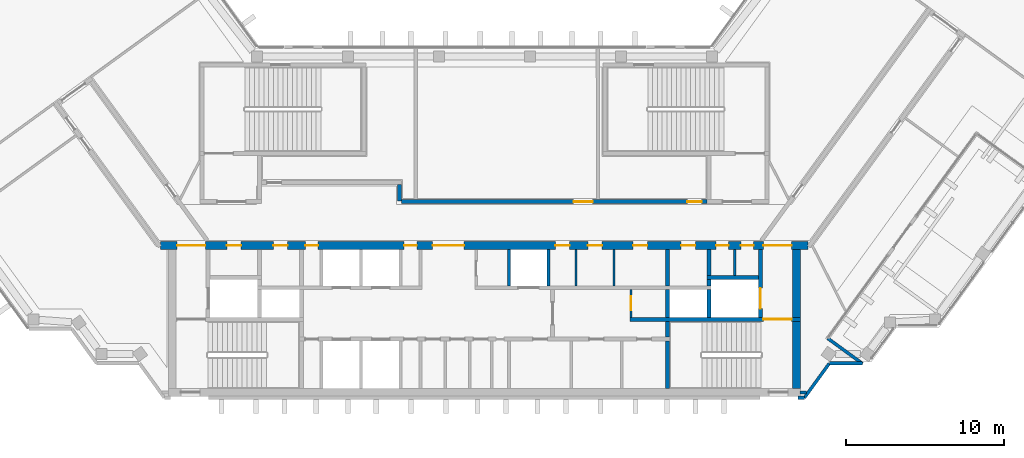
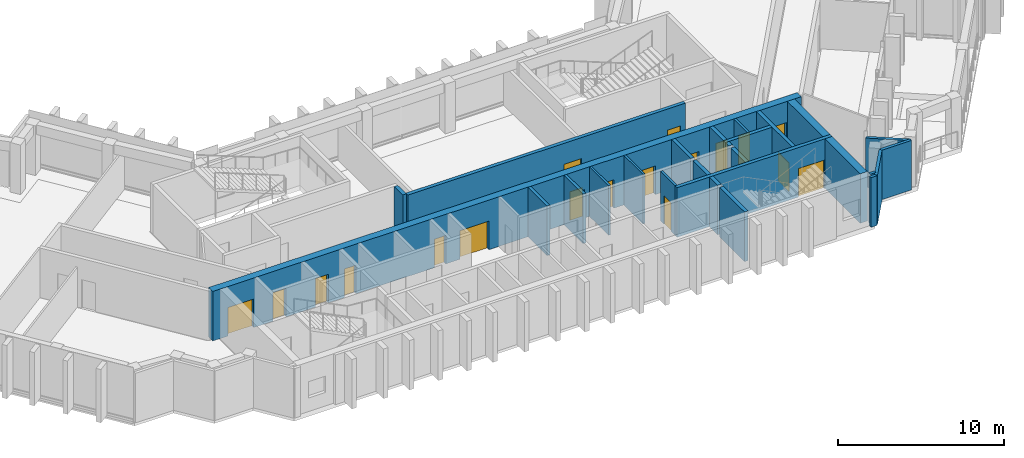
# One storey, part 7 of 11: 26 walls, 18 doors, 18 openings.
"""IFC4 building model written with IfcOpenShell, lengths in metres."""

from ifc_helpers import new_model, si_unit, direction, frame, frame_2d, origin, place, context, subcontext, project, spatial, rectangle, extrude, material, layer, layer_set, type_object, element, fill, save


model = new_model("IFC4")

# Units and contexts
model_context = context("Model", 3, precision=1e-05, world=origin(), true_north=direction((0.0, 1.0)))
body_context = subcontext(model_context, "Body", "Model", "MODEL_VIEW")
ifc_project = project(units=[si_unit("LENGTHUNIT", "METRE"), si_unit("AREAUNIT", "SQUARE_METRE"), si_unit("VOLUMEUNIT", "CUBIC_METRE"), si_unit("PLANEANGLEUNIT", "RADIAN"), si_unit("MASSUNIT", "GRAM", prefix="KILO")], contexts=[model_context])

# Site, building, storey
site_placement = place(None, origin())
site = spatial("IfcSite", under=ifc_project, at=site_placement, CompositionType="ELEMENT")
building_placement = place(site_placement, origin())
building = spatial("IfcBuilding", under=site, at=building_placement, Name="Quipu Civic Tower", CompositionType="ELEMENT")
storey_placement = place(building_placement, frame((0.0, 0.0, 319.0)))
storey = spatial("IfcBuildingStorey", under=building, at=storey_placement, Name="L74", CompositionType="ELEMENT", Elevation=319.0)

# Walls
ifc_material_1 = material(Name="Concrete C70/85", Category="concrete")
ifc_layer_1 = layer(ifc_material_1, 0.25)
ifc_layer_set_1 = layer_set([ifc_layer_1], Name="Concrete C70/85")
wall_type_1 = type_object("IfcWallType", Name="Core wall 250", PredefinedType="SHEAR", material=ifc_layer_set_1)
wall_1_placement = place(storey_placement, frame((11.574951171875, -10.5, 0.0), z_axis=(0.0, 0.0, 1.0), x_axis=(0.0, 1.0, 0.0)))
element("IfcWall", 1, at=wall_1_placement, inside=storey, type_object=wall_type_1, Name="Core wall", PredefinedType="SHEAR", context=body_context, shape_type="SweptSolid", body=[
    extrude(rectangle(XDim=3.0, YDim=0.25, at=frame_2d((1.5, 0.0))), origin(), (0.0, 0.0, 1.0), 3.64990234375),
])
wall_2_placement = place(storey_placement, frame((11.574951171875, -7.25, 0.0), z_axis=(0.0, 0.0, 1.0), x_axis=(0.0, 1.0, 0.0)))
element("IfcWall", 2, at=wall_2_placement, inside=storey, type_object=wall_type_1, Name="Core wall", PredefinedType="SHEAR", context=body_context, shape_type="SweptSolid", body=[
    extrude(rectangle(XDim=1.0, YDim=0.25, at=frame_2d((0.5, 0.0))), origin(), (0.0, 0.0, 1.0), 3.64990234375),
])

# Wall, opening, door
wall_3_placement = place(storey_placement, frame((20.0, -6.125, 0.0), z_axis=(0.0, 0.0, 1.0), x_axis=(-1.0, 0.0, 0.0)))
wall_3 = element("IfcWall", 3, at=wall_3_placement, inside=storey, type_object=wall_type_1, Name="Core wall", PredefinedType="SHEAR", context=body_context, shape_type="SweptSolid", body=[
    extrude(rectangle(XDim=10.800048828125, YDim=0.25, at=frame_2d((5.39990234375, 0.0))), origin(), (0.0, 0.0, 1.0), 3.64990234375),
])
opening_1_placement = place(wall_3_placement, frame((0.550048828125, 0.0, 0.0)))
opening_1 = element("IfcOpeningElement", 4, at=opening_1_placement, cuts=wall_3, Name="Opening CD-11", PredefinedType="OPENING", context=body_context, shape_type="SweptSolid", body=[
    extrude(rectangle(XDim=1.800048828125, YDim=2.10009765625, at=frame_2d((0.89990234375, 1.050048828125))), frame((0.0, 0.135009765625, 0.0), z_axis=(0.0, -1.0, 0.0), x_axis=(1.0, 0.0, 0.0)), (0.0, 0.0, 1.0), 0.27001953125),
])
ifc_material_2 = material(Name="Fire rated steel door", Category="steel")
door_type_1 = type_object("IfcDoorType", Name="Fire door FD90 double 1800 x 2100", OperationType="NOTDEFINED", PredefinedType="DOOR", material=ifc_material_2)
door_1_placement = place(opening_1_placement, origin())
door_1 = element("IfcDoor", 5, at=door_1_placement, inside=storey, type_object=door_type_1, Name="Door", OperationType="DOUBLE_DOOR_SINGLE_SWING", OverallHeight=2.10009765625, OverallWidth=1.800048828125, PredefinedType="DOOR", context=body_context, shape_type="SweptSolid", body=[
    extrude(rectangle(XDim=1.800048828125, YDim=2.10009765625, at=frame_2d((0.89990234375, 1.050048828125))), frame((0.0, 0.02490234375, 0.0), z_axis=(0.0, -1.0, 0.0), x_axis=(1.0, 0.0, 0.0)), (0.0, 0.0, 1.0), 0.050048828125),
])
fill(opening_1, door_1)

# Walls
for number, where, z_axis, x_axis, name in (
    (6, (11.574951171875, -6.0, 0.0), (0.0, 0.0, 1.0), (0.0, 1.0, 0.0), "Core wall"),
    (7, (14.22509765625, -6.0, 0.0), (0.0, 0.0, 1.0), (0.0, 1.0, 0.0), "Core wall"),
):
    element("IfcWall", number, at=place(storey_placement, frame(where, z_axis=z_axis, x_axis=x_axis)), inside=storey, type_object=wall_type_1, Name=name, PredefinedType="SHEAR", context=body_context, shape_type="SweptSolid", body=[
        extrude(rectangle(XDim=1.75, YDim=0.25, at=frame_2d((0.875, 0.0))), origin(), (0.0, 0.0, 1.0), 3.64990234375),
    ])

# Wall, opening, door
wall_4_placement = place(storey_placement, frame((17.47509765625, -6.0, 0.0), z_axis=(0.0, 0.0, 1.0), x_axis=(0.0, 1.0, 0.0)))
wall_4 = element("IfcWall", 8, at=wall_4_placement, inside=storey, type_object=wall_type_1, Name="Core wall", PredefinedType="SHEAR", context=body_context, shape_type="SweptSolid", body=[
    extrude(rectangle(XDim=4.300048828125, YDim=0.25, at=frame_2d((2.14990234375, 0.0))), origin(), (0.0, 0.0, 1.0), 3.64990234375),
])
opening_2_placement = place(wall_4_placement, frame((0.550048828125, 0.0, 0.0)))
opening_2 = element("IfcOpeningElement", 9, at=opening_2_placement, cuts=wall_4, Name="Opening LD-FF2", PredefinedType="OPENING", context=body_context, shape_type="SweptSolid", body=[
    extrude(rectangle(XDim=1.300048828125, YDim=2.10009765625, at=frame_2d((0.64990234375, 1.050048828125))), frame((0.0, 0.135009765625, 0.0), z_axis=(0.0, -1.0, 0.0), x_axis=(1.0, 0.0, 0.0)), (0.0, 0.0, 1.0), 0.27001953125),
])
ifc_material_3 = material(Name="Stainless steel", Category="steel")
door_type_2 = type_object("IfcDoorType", Name="Lift landing door 1300 x 2100", OperationType="DOUBLE_DOOR_SLIDING", PredefinedType="DOOR", material=ifc_material_3)
door_2_placement = place(opening_2_placement, origin())
door_2 = element("IfcDoor", 10, at=door_2_placement, inside=storey, type_object=door_type_2, Name="Landing door FF2", OperationType="DOUBLE_DOOR_SLIDING", OverallHeight=2.10009765625, OverallWidth=1.300048828125, PredefinedType="DOOR", context=body_context, shape_type="SweptSolid", body=[
    extrude(rectangle(XDim=1.300048828125, YDim=2.10009765625, at=frame_2d((0.64990234375, 1.050048828125))), frame((0.0, 0.02490234375, 0.0), z_axis=(0.0, -1.0, 0.0), x_axis=(1.0, 0.0, 0.0)), (0.0, 0.0, 1.0), 0.050048828125),
])
fill(opening_2, door_2)

# Walls
wall_5_placement = place(storey_placement, frame((11.574951171875, -4.0, 0.0), z_axis=(0.0, 0.0, 1.0), x_axis=(0.0, 1.0, 0.0)))
element("IfcWall", 11, at=wall_5_placement, inside=storey, type_object=wall_type_1, Name="Core wall", PredefinedType="SHEAR", context=body_context, shape_type="SweptSolid", body=[
    extrude(rectangle(XDim=2.300048828125, YDim=0.25, at=frame_2d((1.14990234375, 0.0))), origin(), (0.0, 0.0, 1.0), 3.64990234375),
])
wall_6_placement = place(storey_placement, frame((14.22509765625, -4.0, 0.0), z_axis=(0.0, 0.0, 1.0), x_axis=(0.0, 1.0, 0.0)))
element("IfcWall", 12, at=wall_6_placement, inside=storey, type_object=wall_type_1, Name="Core wall", PredefinedType="SHEAR", context=body_context, shape_type="SweptSolid", body=[
    extrude(rectangle(XDim=0.39990234375, YDim=0.25, at=frame_2d((0.199951171875, 0.0))), origin(), (0.0, 0.0, 1.0), 3.64990234375),
])
wall_7_placement = place(storey_placement, frame((14.10009765625, -3.47509765625, 0.0), z_axis=(0.0, 0.0, 1.0), x_axis=(1.0, 0.0, 0.0)))
element("IfcWall", 13, at=wall_7_placement, inside=storey, type_object=wall_type_1, Name="Core wall", PredefinedType="SHEAR", context=body_context, shape_type="SweptSolid", body=[
    extrude(rectangle(XDim=3.25, YDim=0.25, at=frame_2d((1.625, 0.0))), origin(), (0.0, 0.0, 1.0), 3.64990234375),
])
wall_8_placement = place(storey_placement, frame((14.22509765625, -3.35009765625, 0.0), z_axis=(0.0, 0.0, 1.0), x_axis=(0.0, 1.0, 0.0)))
element("IfcWall", 14, at=wall_8_placement, inside=storey, type_object=wall_type_1, Name="Core wall", PredefinedType="SHEAR", context=body_context, shape_type="SweptSolid", body=[
    extrude(rectangle(XDim=1.650146484375, YDim=0.25, at=frame_2d((0.8251953125, 0.0))), origin(), (0.0, 0.0, 1.0), 3.64990234375),
])
ifc_material_4 = material(Name="Concrete C70/85", Category="concrete")
ifc_layer_2 = layer(ifc_material_4, 0.5)
ifc_layer_set_2 = layer_set([ifc_layer_2], Name="Concrete C70/85")
wall_type_2 = type_object("IfcWallType", Name="Core wall 500", PredefinedType="SHEAR", material=ifc_layer_set_2)
wall_9_placement = place(storey_placement, frame((19.75, -10.5, 0.0), z_axis=(0.0, 0.0, 1.0), x_axis=(0.0, 1.0, 0.0)))
element("IfcWall", 15, at=wall_9_placement, inside=storey, type_object=wall_type_2, Name="Core wall", PredefinedType="SHEAR", context=body_context, shape_type="SweptSolid", body=[
    extrude(rectangle(XDim=4.25, YDim=0.5, at=frame_2d((2.125, 0.0))), origin(), (0.0, 0.0, 1.0), 3.64990234375),
])
wall_10_placement = place(storey_placement, frame((19.75, -6.0, 0.0), z_axis=(0.0, 0.0, 1.0), x_axis=(0.0, 1.0, 0.0)))
element("IfcWall", 16, at=wall_10_placement, inside=storey, type_object=wall_type_2, Name="Core wall", PredefinedType="SHEAR", context=body_context, shape_type="SweptSolid", body=[
    extrude(rectangle(XDim=4.300048828125, YDim=0.5, at=frame_2d((2.14990234375, 0.0))), origin(), (0.0, 0.0, 1.0), 3.64990234375),
])

# Wall, openings, doors
wall_11_placement = place(storey_placement, frame((20.489990234375, -1.449951171875, 0.0), z_axis=(0.0, 0.0, 1.0), x_axis=(-1.0, 0.0, 0.0)))
wall_11 = element("IfcWall", 17, at=wall_11_placement, inside=storey, type_object=wall_type_2, Name="Core wall", PredefinedType="SHEAR", context=body_context, shape_type="SweptSolid", body=[
    extrude(rectangle(XDim=40.97998046875, YDim=0.5, at=frame_2d((20.489990234375, 0.0))), origin(), (0.0, 0.0, 1.0), 3.64990234375),
])
opening_3_placement = place(wall_11_placement, frame((38.139892578125, 0.0, 0.0)))
opening_3 = element("IfcOpeningElement", 18, at=opening_3_placement, cuts=wall_11, Name="Opening CD-15", PredefinedType="OPENING", context=body_context, shape_type="SweptSolid", body=[
    extrude(rectangle(XDim=1.800048828125, YDim=2.10009765625, at=frame_2d((0.89990234375, 1.050048828125))), frame((0.0, 0.260009765625, 0.0), z_axis=(0.0, -1.0, 0.0), x_axis=(1.0, 0.0, 0.0)), (0.0, 0.0, 1.0), 0.52001953125),
])
opening_4_placement = place(wall_11_placement, frame((35.889892578125, 0.0, 0.0)))
opening_4 = element("IfcOpeningElement", 19, at=opening_4_placement, cuts=wall_11, Name="Opening CD-16", PredefinedType="OPENING", context=body_context, shape_type="SweptSolid", body=[
    extrude(rectangle(XDim=0.89990234375, YDim=2.10009765625, at=frame_2d((0.449951171875, 1.050048828125))), frame((0.0, 0.260009765625, 0.0), z_axis=(0.0, -1.0, 0.0), x_axis=(1.0, 0.0, 0.0)), (0.0, 0.0, 1.0), 0.52001953125),
])
opening_5_placement = place(wall_11_placement, frame((32.93994140625, 0.0, 0.0)))
opening_5 = element("IfcOpeningElement", 20, at=opening_5_placement, cuts=wall_11, Name="Opening CD-17", PredefinedType="OPENING", context=body_context, shape_type="SweptSolid", body=[
    extrude(rectangle(XDim=0.89990234375, YDim=2.10009765625, at=frame_2d((0.449951171875, 1.050048828125))), frame((0.0, 0.260009765625, 0.0), z_axis=(0.0, -1.0, 0.0), x_axis=(1.0, 0.0, 0.0)), (0.0, 0.0, 1.0), 0.52001953125),
])
opening_6_placement = place(wall_11_placement, frame((31.014892578125, 0.0, 0.0)))
opening_6 = element("IfcOpeningElement", 21, at=opening_6_placement, cuts=wall_11, Name="Opening CD-18", PredefinedType="OPENING", context=body_context, shape_type="SweptSolid", body=[
    extrude(rectangle(XDim=0.800048828125, YDim=2.10009765625, at=frame_2d((0.39990234375, 1.050048828125))), frame((0.0, 0.260009765625, 0.0), z_axis=(0.0, -1.0, 0.0), x_axis=(1.0, 0.0, 0.0)), (0.0, 0.0, 1.0), 0.52001953125),
])
opening_7_placement = place(wall_11_placement, frame((24.764892578125, 0.0, 0.0)))
opening_7 = element("IfcOpeningElement", 22, at=opening_7_placement, cuts=wall_11, Name="Opening CD-19", PredefinedType="OPENING", context=body_context, shape_type="SweptSolid", body=[
    extrude(rectangle(XDim=0.800048828125, YDim=2.10009765625, at=frame_2d((0.39990234375, 1.050048828125))), frame((0.0, 0.260009765625, 0.0), z_axis=(0.0, -1.0, 0.0), x_axis=(1.0, 0.0, 0.0)), (0.0, 0.0, 1.0), 0.52001953125),
])
opening_8_placement = place(wall_11_placement, frame((21.764892578125, 0.0, 0.0)))
opening_8 = element("IfcOpeningElement", 23, at=opening_8_placement, cuts=wall_11, Name="Opening CD-20", PredefinedType="OPENING", context=body_context, shape_type="SweptSolid", body=[
    extrude(rectangle(XDim=2.0, YDim=2.10009765625, at=frame_2d((1.0, 1.050048828125))), frame((0.0, 0.260009765625, 0.0), z_axis=(0.0, -1.0, 0.0), x_axis=(1.0, 0.0, 0.0)), (0.0, 0.0, 1.0), 0.52001953125),
])
opening_9_placement = place(wall_11_placement, frame((15.1025390625, 0.0, 0.0)))
opening_9 = element("IfcOpeningElement", 24, at=opening_9_placement, cuts=wall_11, Name="Opening CD-21", PredefinedType="OPENING", context=body_context, shape_type="SweptSolid", body=[
    extrude(rectangle(XDim=0.89990234375, YDim=2.10009765625, at=frame_2d((0.449951171875, 1.050048828125))), frame((0.0, 0.260009765625, 0.0), z_axis=(0.0, -1.0, 0.0), x_axis=(1.0, 0.0, 0.0)), (0.0, 0.0, 1.0), 0.52001953125),
])
opening_10_placement = place(wall_11_placement, frame((13.0400390625, 0.0, 0.0)))
opening_10 = element("IfcOpeningElement", 25, at=opening_10_placement, cuts=wall_11, Name="Opening CD-22", PredefinedType="OPENING", context=body_context, shape_type="SweptSolid", body=[
    extrude(rectangle(XDim=0.89990234375, YDim=2.10009765625, at=frame_2d((0.449951171875, 1.050048828125))), frame((0.0, 0.260009765625, 0.0), z_axis=(0.0, -1.0, 0.0), x_axis=(1.0, 0.0, 0.0)), (0.0, 0.0, 1.0), 0.52001953125),
])
opening_11_placement = place(wall_11_placement, frame((10.177490234375, 0.0, 0.0)))
opening_11 = element("IfcOpeningElement", 26, at=opening_11_placement, cuts=wall_11, Name="Opening CD-23", PredefinedType="OPENING", context=body_context, shape_type="SweptSolid", body=[
    extrude(rectangle(XDim=0.89990234375, YDim=2.10009765625, at=frame_2d((0.449951171875, 1.050048828125))), frame((0.0, 0.260009765625, 0.0), z_axis=(0.0, -1.0, 0.0), x_axis=(1.0, 0.0, 0.0)), (0.0, 0.0, 1.0), 0.52001953125),
])
opening_12_placement = place(wall_11_placement, frame((7.139892578125, 0.0, 0.0)))
opening_12 = element("IfcOpeningElement", 27, at=opening_12_placement, cuts=wall_11, Name="Opening CD-24", PredefinedType="OPENING", context=body_context, shape_type="SweptSolid", body=[
    extrude(rectangle(XDim=0.89990234375, YDim=2.10009765625, at=frame_2d((0.449951171875, 1.050048828125))), frame((0.0, 0.260009765625, 0.0), z_axis=(0.0, -1.0, 0.0), x_axis=(1.0, 0.0, 0.0)), (0.0, 0.0, 1.0), 0.52001953125),
])
opening_13_placement = place(wall_11_placement, frame((5.027587890625, 0.0, 0.0)))
opening_13 = element("IfcOpeningElement", 28, at=opening_13_placement, cuts=wall_11, Name="Opening CD-25", PredefinedType="OPENING", context=body_context, shape_type="SweptSolid", body=[
    extrude(rectangle(XDim=0.800048828125, YDim=2.10009765625, at=frame_2d((0.39990234375, 1.050048828125))), frame((0.0, 0.260009765625, 0.0), z_axis=(0.0, -1.0, 0.0), x_axis=(1.0, 0.0, 0.0)), (0.0, 0.0, 1.0), 0.52001953125),
])
opening_14_placement = place(wall_11_placement, frame((3.452392578125, 0.0, 0.0)))
opening_14 = element("IfcOpeningElement", 29, at=opening_14_placement, cuts=wall_11, Name="Opening CD-26", PredefinedType="OPENING", context=body_context, shape_type="SweptSolid", body=[
    extrude(rectangle(XDim=0.800048828125, YDim=2.10009765625, at=frame_2d((0.39990234375, 1.050048828125))), frame((0.0, 0.260009765625, 0.0), z_axis=(0.0, -1.0, 0.0), x_axis=(1.0, 0.0, 0.0)), (0.0, 0.0, 1.0), 0.52001953125),
])
opening_15_placement = place(wall_11_placement, frame((1.0400390625, 0.0, 0.0)))
opening_15 = element("IfcOpeningElement", 30, at=opening_15_placement, cuts=wall_11, Name="Opening CD-27", PredefinedType="OPENING", context=body_context, shape_type="SweptSolid", body=[
    extrude(rectangle(XDim=1.800048828125, YDim=2.10009765625, at=frame_2d((0.89990234375, 1.050048828125))), frame((0.0, 0.260009765625, 0.0), z_axis=(0.0, -1.0, 0.0), x_axis=(1.0, 0.0, 0.0)), (0.0, 0.0, 1.0), 0.52001953125),
])
ifc_material_5 = material(Name="Fire rated steel door", Category="steel")
door_type_3 = type_object("IfcDoorType", Name="Fire door FD60 800 x 2100", OperationType="NOTDEFINED", PredefinedType="DOOR", material=ifc_material_5)
door_3_placement = place(opening_6_placement, origin())
door_3 = element("IfcDoor", 31, at=door_3_placement, inside=storey, type_object=door_type_3, Name="Door", OperationType="SINGLE_SWING_RIGHT", OverallHeight=2.10009765625, OverallWidth=0.800048828125, PredefinedType="DOOR", context=body_context, shape_type="SweptSolid", body=[
    extrude(rectangle(XDim=0.800048828125, YDim=2.10009765625, at=frame_2d((0.39990234375, 1.050048828125))), frame((0.0, 0.02490234375, 0.0), z_axis=(0.0, -1.0, 0.0), x_axis=(1.0, 0.0, 0.0)), (0.0, 0.0, 1.0), 0.050048828125),
])
fill(opening_6, door_3)
door_4_placement = place(opening_7_placement, origin())
door_4 = element("IfcDoor", 32, at=door_4_placement, inside=storey, type_object=door_type_3, Name="Door", OperationType="SINGLE_SWING_RIGHT", OverallHeight=2.10009765625, OverallWidth=0.800048828125, PredefinedType="DOOR", context=body_context, shape_type="SweptSolid", body=[
    extrude(rectangle(XDim=0.800048828125, YDim=2.10009765625, at=frame_2d((0.39990234375, 1.050048828125))), frame((0.0, 0.02490234375, 0.0), z_axis=(0.0, -1.0, 0.0), x_axis=(1.0, 0.0, 0.0)), (0.0, 0.0, 1.0), 0.050048828125),
])
fill(opening_7, door_4)
door_5_placement = place(opening_13_placement, origin())
door_5 = element("IfcDoor", 33, at=door_5_placement, inside=storey, type_object=door_type_3, Name="Door", OperationType="SINGLE_SWING_LEFT", OverallHeight=2.10009765625, OverallWidth=0.800048828125, PredefinedType="DOOR", context=body_context, shape_type="SweptSolid", body=[
    extrude(rectangle(XDim=0.800048828125, YDim=2.10009765625, at=frame_2d((0.39990234375, 1.050048828125))), frame((0.0, 0.02490234375, 0.0), z_axis=(0.0, -1.0, 0.0), x_axis=(1.0, 0.0, 0.0)), (0.0, 0.0, 1.0), 0.050048828125),
])
fill(opening_13, door_5)
door_6_placement = place(opening_14_placement, origin())
door_6 = element("IfcDoor", 34, at=door_6_placement, inside=storey, type_object=door_type_3, Name="Door", OperationType="SINGLE_SWING_LEFT", OverallHeight=2.10009765625, OverallWidth=0.800048828125, PredefinedType="DOOR", context=body_context, shape_type="SweptSolid", body=[
    extrude(rectangle(XDim=0.800048828125, YDim=2.10009765625, at=frame_2d((0.39990234375, 1.050048828125))), frame((0.0, 0.02490234375, 0.0), z_axis=(0.0, -1.0, 0.0), x_axis=(1.0, 0.0, 0.0)), (0.0, 0.0, 1.0), 0.050048828125),
])
fill(opening_14, door_6)
ifc_material_6 = material(Name="Fire rated steel door", Category="steel")
door_type_4 = type_object("IfcDoorType", Name="Fire door FD60 900 x 2100", OperationType="NOTDEFINED", PredefinedType="DOOR", material=ifc_material_6)
door_7_placement = place(opening_4_placement, origin())
door_7 = element("IfcDoor", 35, at=door_7_placement, inside=storey, type_object=door_type_4, Name="Door", OperationType="SINGLE_SWING_RIGHT", OverallHeight=2.10009765625, OverallWidth=0.89990234375, PredefinedType="DOOR", context=body_context, shape_type="SweptSolid", body=[
    extrude(rectangle(XDim=0.89990234375, YDim=2.10009765625, at=frame_2d((0.449951171875, 1.050048828125))), frame((0.0, 0.02490234375, 0.0), z_axis=(0.0, -1.0, 0.0), x_axis=(1.0, 0.0, 0.0)), (0.0, 0.0, 1.0), 0.050048828125),
])
fill(opening_4, door_7)
door_8_placement = place(opening_5_placement, origin())
door_8 = element("IfcDoor", 36, at=door_8_placement, inside=storey, type_object=door_type_4, Name="Riser door", OperationType="SINGLE_SWING_RIGHT", OverallHeight=2.10009765625, OverallWidth=0.89990234375, PredefinedType="DOOR", context=body_context, shape_type="SweptSolid", body=[
    extrude(rectangle(XDim=0.89990234375, YDim=2.10009765625, at=frame_2d((0.449951171875, 1.050048828125))), frame((0.0, 0.02490234375, 0.0), z_axis=(0.0, -1.0, 0.0), x_axis=(1.0, 0.0, 0.0)), (0.0, 0.0, 1.0), 0.050048828125),
])
fill(opening_5, door_8)
door_9_placement = place(opening_9_placement, origin())
door_9 = element("IfcDoor", 37, at=door_9_placement, inside=storey, type_object=door_type_4, Name="Door", OperationType="SINGLE_SWING_LEFT", OverallHeight=2.10009765625, OverallWidth=0.89990234375, PredefinedType="DOOR", context=body_context, shape_type="SweptSolid", body=[
    extrude(rectangle(XDim=0.89990234375, YDim=2.10009765625, at=frame_2d((0.449951171875, 1.050048828125))), frame((0.0, 0.02490234375, 0.0), z_axis=(0.0, -1.0, 0.0), x_axis=(1.0, 0.0, 0.0)), (0.0, 0.0, 1.0), 0.050048828125),
])
fill(opening_9, door_9)
door_10_placement = place(opening_10_placement, origin())
door_10 = element("IfcDoor", 38, at=door_10_placement, inside=storey, type_object=door_type_4, Name="Door", OperationType="SINGLE_SWING_LEFT", OverallHeight=2.10009765625, OverallWidth=0.89990234375, PredefinedType="DOOR", context=body_context, shape_type="SweptSolid", body=[
    extrude(rectangle(XDim=0.89990234375, YDim=2.10009765625, at=frame_2d((0.449951171875, 1.050048828125))), frame((0.0, 0.02490234375, 0.0), z_axis=(0.0, -1.0, 0.0), x_axis=(1.0, 0.0, 0.0)), (0.0, 0.0, 1.0), 0.050048828125),
])
fill(opening_10, door_10)
door_11_placement = place(opening_11_placement, origin())
door_11 = element("IfcDoor", 39, at=door_11_placement, inside=storey, type_object=door_type_4, Name="Door", OperationType="SINGLE_SWING_LEFT", OverallHeight=2.10009765625, OverallWidth=0.89990234375, PredefinedType="DOOR", context=body_context, shape_type="SweptSolid", body=[
    extrude(rectangle(XDim=0.89990234375, YDim=2.10009765625, at=frame_2d((0.449951171875, 1.050048828125))), frame((0.0, 0.02490234375, 0.0), z_axis=(0.0, -1.0, 0.0), x_axis=(1.0, 0.0, 0.0)), (0.0, 0.0, 1.0), 0.050048828125),
])
fill(opening_11, door_11)
door_12_placement = place(opening_12_placement, origin())
door_12 = element("IfcDoor", 40, at=door_12_placement, inside=storey, type_object=door_type_4, Name="Riser door", OperationType="SINGLE_SWING_LEFT", OverallHeight=2.10009765625, OverallWidth=0.89990234375, PredefinedType="DOOR", context=body_context, shape_type="SweptSolid", body=[
    extrude(rectangle(XDim=0.89990234375, YDim=2.10009765625, at=frame_2d((0.449951171875, 1.050048828125))), frame((0.0, 0.02490234375, 0.0), z_axis=(0.0, -1.0, 0.0), x_axis=(1.0, 0.0, 0.0)), (0.0, 0.0, 1.0), 0.050048828125),
])
fill(opening_12, door_12)
door_13_placement = place(opening_3_placement, origin())
door_13 = element("IfcDoor", 41, at=door_13_placement, inside=storey, type_object=door_type_1, Name="Lobby door", OperationType="DOUBLE_DOOR_SINGLE_SWING", OverallHeight=2.10009765625, OverallWidth=1.800048828125, PredefinedType="DOOR", context=body_context, shape_type="SweptSolid", body=[
    extrude(rectangle(XDim=1.800048828125, YDim=2.10009765625, at=frame_2d((0.89990234375, 1.050048828125))), frame((0.0, 0.02490234375, 0.0), z_axis=(0.0, -1.0, 0.0), x_axis=(1.0, 0.0, 0.0)), (0.0, 0.0, 1.0), 0.050048828125),
])
fill(opening_3, door_13)
door_14_placement = place(opening_15_placement, origin())
door_14 = element("IfcDoor", 42, at=door_14_placement, inside=storey, type_object=door_type_1, Name="Lobby door", OperationType="DOUBLE_DOOR_SINGLE_SWING", OverallHeight=2.10009765625, OverallWidth=1.800048828125, PredefinedType="DOOR", context=body_context, shape_type="SweptSolid", body=[
    extrude(rectangle(XDim=1.800048828125, YDim=2.10009765625, at=frame_2d((0.89990234375, 1.050048828125))), frame((0.0, 0.02490234375, 0.0), z_axis=(0.0, -1.0, 0.0), x_axis=(1.0, 0.0, 0.0)), (0.0, 0.0, 1.0), 0.050048828125),
])
fill(opening_15, door_14)
ifc_material_7 = material(Name="Fire rated steel door", Category="steel")
door_type_5 = type_object("IfcDoorType", Name="Fire door FD90 double 2000 x 2100", OperationType="NOTDEFINED", PredefinedType="DOOR", material=ifc_material_7)
door_15_placement = place(opening_8_placement, origin())
door_15 = element("IfcDoor", 43, at=door_15_placement, inside=storey, type_object=door_type_5, Name="Lobby door", OperationType="DOUBLE_DOOR_SINGLE_SWING", OverallHeight=2.10009765625, OverallWidth=2.0, PredefinedType="DOOR", context=body_context, shape_type="SweptSolid", body=[
    extrude(rectangle(XDim=2.0, YDim=2.10009765625, at=frame_2d((1.0, 1.050048828125))), frame((0.0, 0.02490234375, 0.0), z_axis=(0.0, -1.0, 0.0), x_axis=(1.0, 0.0, 0.0)), (0.0, 0.0, 1.0), 0.050048828125),
])
fill(opening_8, door_15)

# Wall
ifc_material_8 = material(Name="Concrete C50/60", Category="concrete")
ifc_layer_3 = layer(ifc_material_8, 0.25)
ifc_layer_set_3 = layer_set([ifc_layer_3], Name="Concrete C50/60")
wall_type_3 = type_object("IfcWallType", Name="Corridor wall 250 concrete", PredefinedType="SOLIDWALL", material=ifc_layer_set_3)
wall_12_placement = place(storey_placement, frame((-5.375, 2.39990234375, 0.0), z_axis=(0.0, 0.0, 1.0), x_axis=(0.0, -1.0, 0.0)))
element("IfcWall", 44, at=wall_12_placement, inside=storey, type_object=wall_type_3, Name="Corridor wall C08", PredefinedType="SOLIDWALL", context=body_context, shape_type="SweptSolid", body=[
    extrude(rectangle(XDim=1.041259765625, YDim=0.25, at=frame_2d((0.5205078125, 0.0))), origin(), (0.0, 0.0, 1.0), 3.64990234375),
])

# Wall, openings, doors
wall_13_placement = place(storey_placement, frame((-5.246337890625, 1.324951171875, 0.0), z_axis=(0.0, 0.0, 1.0), x_axis=(1.0, 0.0, 0.0)))
wall_13 = element("IfcWall", 45, at=wall_13_placement, inside=storey, type_object=wall_type_3, Name="Corridor wall C09", PredefinedType="SOLIDWALL", context=body_context, shape_type="SweptSolid", body=[
    extrude(rectangle(XDim=19.33642578125, YDim=0.25, at=frame_2d((9.668212890625, 0.0))), origin(), (0.0, 0.0, 1.0), 3.64990234375),
])
opening_16_placement = place(wall_13_placement, frame((10.894287109375, 0.0, 0.0)))
opening_16 = element("IfcOpeningElement", 46, at=opening_16_placement, cuts=wall_13, Name="Opening D006", PredefinedType="OPENING", context=body_context, shape_type="SweptSolid", body=[
    extrude(rectangle(XDim=1.199951171875, YDim=2.10009765625, at=frame_2d((0.60009765625, 1.050048828125))), frame((0.0, 0.135009765625, 0.0), z_axis=(0.0, -1.0, 0.0), x_axis=(1.0, 0.0, 0.0)), (0.0, 0.0, 1.0), 0.27001953125),
])
opening_17_placement = place(wall_13_placement, frame((18.09619140625, 0.0, 0.0)))
opening_17 = element("IfcOpeningElement", 47, at=opening_17_placement, cuts=wall_13, Name="Opening D007", PredefinedType="OPENING", context=body_context, shape_type="SweptSolid", body=[
    extrude(rectangle(XDim=0.89990234375, YDim=2.10009765625, at=frame_2d((0.449951171875, 1.050048828125))), frame((0.0, 0.135009765625, 0.0), z_axis=(0.0, -1.0, 0.0), x_axis=(1.0, 0.0, 0.0)), (0.0, 0.0, 1.0), 0.27001953125),
])
ifc_material_9 = material(Name="Fire rated timber door set with metal frame", Category="wood")
door_type_6 = type_object("IfcDoorType", Name="Single door 1200 x 2100 FD60", OperationType="NOTDEFINED", PredefinedType="DOOR", material=ifc_material_9)
door_16_placement = place(opening_16_placement, origin())
door_16 = element("IfcDoor", 48, at=door_16_placement, inside=storey, type_object=door_type_6, Name="Door D006", OperationType="SINGLE_SWING_RIGHT", OverallHeight=2.10009765625, OverallWidth=1.199951171875, PredefinedType="DOOR", context=body_context, shape_type="SweptSolid", body=[
    extrude(rectangle(XDim=1.199951171875, YDim=2.10009765625, at=frame_2d((0.60009765625, 1.050048828125))), frame((0.0, 0.02490234375, 0.0), z_axis=(0.0, -1.0, 0.0), x_axis=(1.0, 0.0, 0.0)), (0.0, 0.0, 1.0), 0.050048828125),
])
fill(opening_16, door_16)
ifc_material_10 = material(Name="Fire rated timber door set with metal frame", Category="wood")
door_type_7 = type_object("IfcDoorType", Name="Single door 900 x 2100 FD60", OperationType="NOTDEFINED", PredefinedType="DOOR", material=ifc_material_10)
door_17_placement = place(opening_17_placement, origin())
door_17 = element("IfcDoor", 49, at=door_17_placement, inside=storey, type_object=door_type_7, Name="Door D007", OperationType="SINGLE_SWING_RIGHT", OverallHeight=2.10009765625, OverallWidth=0.89990234375, PredefinedType="DOOR", context=body_context, shape_type="SweptSolid", body=[
    extrude(rectangle(XDim=0.89990234375, YDim=2.10009765625, at=frame_2d((0.449951171875, 1.050048828125))), frame((0.0, 0.02490234375, 0.0), z_axis=(0.0, -1.0, 0.0), x_axis=(1.0, 0.0, 0.0)), (0.0, 0.0, 1.0), 0.050048828125),
])
fill(opening_17, door_17)

# Wall, opening, door
ifc_material_11 = material(Name="Gypsum board partition")
ifc_layer_4 = layer(ifc_material_11, 0.14990234375)
ifc_layer_set_4 = layer_set([ifc_layer_4], Name="Gypsum board partition")
wall_type_4 = type_object("IfcWallType", Name="Partition 150", PredefinedType="PARTITIONING", material=ifc_layer_set_4)
wall_14_placement = place(storey_placement, frame((9.27490234375, -6.0, 0.0), z_axis=(0.0, 0.0, 1.0), x_axis=(0.0, 1.0, 0.0)))
wall_14 = element("IfcWall", 50, at=wall_14_placement, inside=storey, type_object=wall_type_4, Name="Partition", PredefinedType="PARTITIONING", context=body_context, shape_type="SweptSolid", body=[
    extrude(rectangle(XDim=1.75, YDim=0.14990234375, at=frame_2d((0.875, 0.0))), origin(), (0.0, 0.0, 1.0), 3.64990234375),
])
opening_18_placement = place(wall_14_placement, frame((0.449951171875, 0.0, 0.0)))
opening_18 = element("IfcOpeningElement", 51, at=opening_18_placement, cuts=wall_14, Name="Opening CD-13", PredefinedType="OPENING", context=body_context, shape_type="SweptSolid", body=[
    extrude(rectangle(XDim=0.89990234375, YDim=2.10009765625, at=frame_2d((0.449951171875, 1.050048828125))), frame((0.0, 0.0849609375, 0.0), z_axis=(0.0, -1.0, 0.0), x_axis=(1.0, 0.0, 0.0)), (0.0, 0.0, 1.0), 0.169921875),
])
door_18_placement = place(opening_18_placement, origin())
door_18 = element("IfcDoor", 52, at=door_18_placement, inside=storey, type_object=door_type_4, Name="Door", OperationType="SINGLE_SWING_RIGHT", OverallHeight=2.10009765625, OverallWidth=0.89990234375, PredefinedType="DOOR", context=body_context, shape_type="SweptSolid", body=[
    extrude(rectangle(XDim=0.89990234375, YDim=2.10009765625, at=frame_2d((0.449951171875, 1.050048828125))), frame((0.0, 0.02490234375, 0.0), z_axis=(0.0, -1.0, 0.0), x_axis=(1.0, 0.0, 0.0)), (0.0, 0.0, 1.0), 0.050048828125),
])
fill(opening_18, door_18)

# Walls
for number, where, z_axis, x_axis, name in (
    (53, (5.800048828125, -4.0, 0.0), (0.0, 0.0, 1.0), (0.0, 1.0, 0.0), "Partition"),
    (54, (8.199951171875, -4.0, 0.0), (0.0, 0.0, 1.0), (0.0, 1.0, 0.0), "Partition"),
):
    element("IfcWall", number, at=place(storey_placement, frame(where, z_axis=z_axis, x_axis=x_axis)), inside=storey, type_object=wall_type_4, Name=name, PredefinedType="PARTITIONING", context=body_context, shape_type="SweptSolid", body=[
        extrude(rectangle(XDim=2.300048828125, YDim=0.14990234375, at=frame_2d((1.14990234375, 0.0))), origin(), (0.0, 0.0, 1.0), 3.64990234375),
    ])
wall_15_placement = place(storey_placement, frame((15.85009765625, -3.35009765625, 0.0), z_axis=(0.0, 0.0, 1.0), x_axis=(0.0, 1.0, 0.0)))
element("IfcWall", 55, at=wall_15_placement, inside=storey, type_object=wall_type_4, Name="Partition", PredefinedType="PARTITIONING", context=body_context, shape_type="SweptSolid", body=[
    extrude(rectangle(XDim=1.650146484375, YDim=0.14990234375, at=frame_2d((0.8251953125, 0.0))), origin(), (0.0, 0.0, 1.0), 3.64990234375),
])
ifc_material_12 = material(Name="Precast concrete C40/50", Category="concrete")
wall_type_5 = type_object("IfcWallType", Name="Precast cladding wall", PredefinedType="SOLIDWALL", material=ifc_material_12)
wall_16_placement = place(storey_placement, frame((21.8427734375, -8.90380859375, 0.0), z_axis=(0.0, 0.0, 1.0), x_axis=(1.0, 0.0, 0.0)))
element("IfcWall", 56, at=wall_16_placement, inside=storey, type_object=wall_type_5, Name="Precast cladding wall L74 1", PredefinedType="SOLIDWALL", context=body_context, shape_type="SweptSolid", body=[
    extrude(rectangle(XDim=2.09228515625, YDim=0.199951171875, at=frame_2d((1.046142578125, 0.0))), origin(), (0.0, 0.0, 1.0), 3.64990234375),
])
wall_17_placement = place(storey_placement, frame((23.927978515625, -8.92529296875, 0.0), z_axis=(0.0, 0.0, 1.0), x_axis=(-0.809038277723, 0.587755957162, 0.0)))
element("IfcWall", 57, at=wall_17_placement, inside=storey, type_object=wall_type_5, Name="Precast cladding wall L74 2", PredefinedType="SOLIDWALL", context=body_context, shape_type="SweptSolid", body=[
    extrude(rectangle(XDim=2.72412109375, YDim=0.199951171875, at=frame_2d((1.362060546875, 0.0))), origin(), (0.0, 0.0, 1.0), 3.64990234375),
])
wall_18_placement = place(storey_placement, frame((19.85009765625, -11.087890625, 0.0), z_axis=(0.0, 0.0, 1.0), x_axis=(1.0, 0.0, 0.0)))
element("IfcWall", 58, at=wall_18_placement, inside=storey, type_object=wall_type_5, Name="Precast cladding wall L74 25", PredefinedType="SOLIDWALL", context=body_context, shape_type="SweptSolid", body=[
    extrude(rectangle(XDim=0.40576171875, YDim=0.199951171875, at=frame_2d((0.202880859375, 0.0))), origin(), (0.0, 0.0, 1.0), 3.64990234375),
])
wall_19_placement = place(storey_placement, frame((20.253173828125, -11.083251953125, 0.0), z_axis=(0.0, 0.0, 1.0), x_axis=(0.587766567315, 0.809030569476, 0.0)))
element("IfcWall", 59, at=wall_19_placement, inside=storey, type_object=wall_type_5, Name="Precast cladding wall L74 26", PredefinedType="SOLIDWALL", context=body_context, shape_type="SweptSolid", body=[
    extrude(rectangle(XDim=2.687744140625, YDim=0.199951171875, at=frame_2d((1.34375, 0.0))), origin(), (0.0, 0.0, 1.0), 3.64990234375),
])
wall_20_placement = place(storey_placement, frame((19.97998046875, -10.75, 0.0), z_axis=(0.0, 0.0, 1.0), x_axis=(1.0, 0.0, 0.0)))
element("IfcWall", 60, at=wall_20_placement, inside=storey, type_object=wall_type_5, Name="Precast cladding return L74 E", PredefinedType="SOLIDWALL", context=body_context, shape_type="SweptSolid", body=[
    extrude(rectangle(XDim=0.41650390625, YDim=0.199951171875, at=frame_2d((0.208251953125, 0.0))), origin(), (0.0, 0.0, 1.0), 3.64990234375),
])
ifc_material_13 = material(Name="Concrete C40/50", Category="concrete")
ifc_layer_5 = layer(ifc_material_13, 0.199951171875)
ifc_layer_set_5 = layer_set([ifc_layer_5], Name="Concrete C40/50")
wall_type_6 = type_object("IfcWallType", Name="Shaft wall 200", PredefinedType="SOLIDWALL", material=ifc_layer_set_5)
for number, where, z_axis, x_axis, name in (
    (61, (1.550048828125, -4.0, 0.0), (0.0, 0.0, 1.0), (0.0, 1.0, 0.0), "Shaft wall"),
    (62, (4.050048828125, -4.0, 0.0), (0.0, 0.0, 1.0), (0.0, 1.0, 0.0), "Shaft wall"),
):
    element("IfcWall", number, at=place(storey_placement, frame(where, z_axis=z_axis, x_axis=x_axis)), inside=storey, type_object=wall_type_6, Name=name, PredefinedType="SOLIDWALL", context=body_context, shape_type="SweptSolid", body=[
        extrude(rectangle(XDim=2.300048828125, YDim=0.199951171875, at=frame_2d((1.14990234375, 0.0))), origin(), (0.0, 0.0, 1.0), 3.64990234375),
    ])

save(model, "model.ifc")
